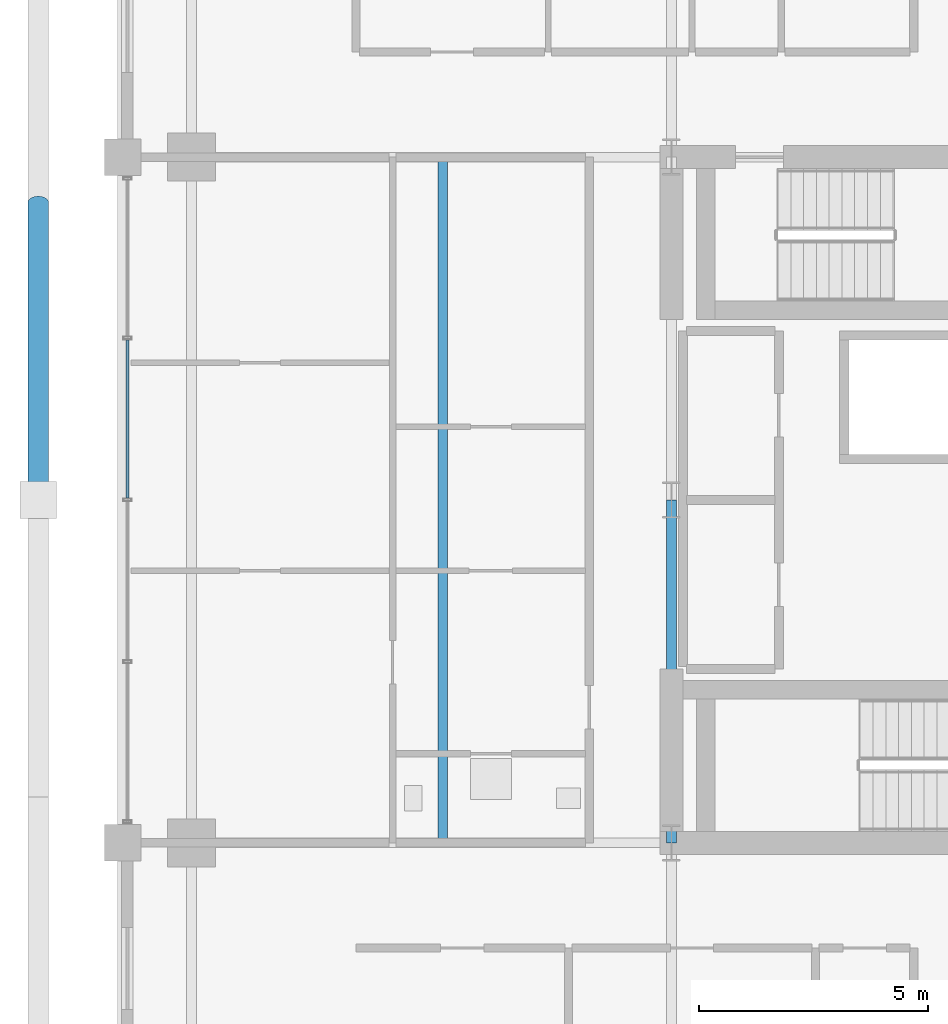
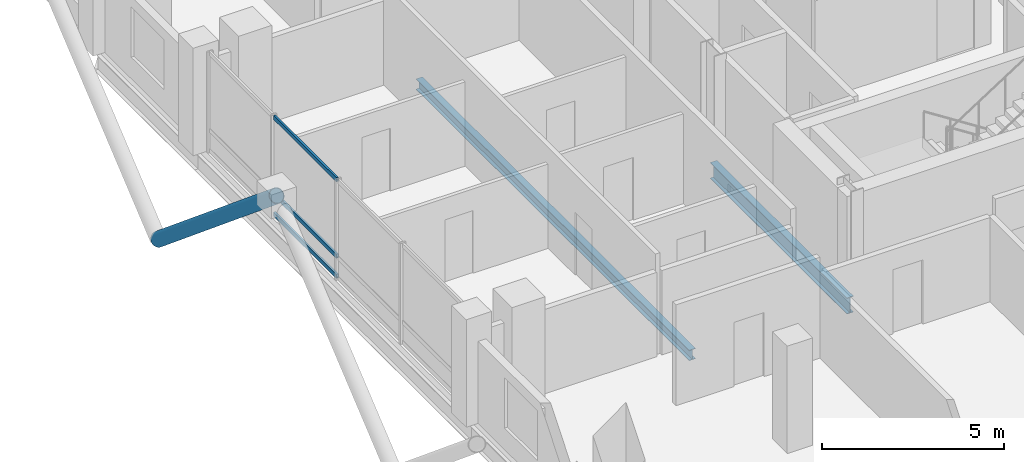
# One storey, part 7 of 24: 4 members, 2 beams, 1 element without a shape of its own.
"""IFC4 building model written with IfcOpenShell, lengths in metres."""

from ifc_helpers import new_model, si_unit, direction, frame, origin, origin_2d, place, context, subcontext, project, spatial, hollow_rectangle, hollow_circle, i_section, extrude, material, layer, layer_set, material_profile, profile_set, type_object, element, aggregate, save


model = new_model("IFC4")

# Units and contexts
model_context = context("Model", 3, precision=1e-05, world=origin(), true_north=direction((0.0, 1.0)))
body_context = subcontext(model_context, "Body", "Model", "MODEL_VIEW")
ifc_project = project(units=[si_unit("LENGTHUNIT", "METRE"), si_unit("AREAUNIT", "SQUARE_METRE"), si_unit("VOLUMEUNIT", "CUBIC_METRE"), si_unit("PLANEANGLEUNIT", "RADIAN"), si_unit("MASSUNIT", "GRAM", prefix="KILO")], contexts=[model_context])

# Site, building, storey
site_placement = place(None, origin())
site = spatial("IfcSite", under=ifc_project, at=site_placement, CompositionType="ELEMENT")
building_placement = place(site_placement, origin())
building = spatial("IfcBuilding", under=site, at=building_placement, Name="Barlavira Tower and Art Museum", CompositionType="ELEMENT")
storey_placement = place(building_placement, frame((0.0, 0.0, 183.60009765625)))
storey = spatial("IfcBuildingStorey", under=building, at=storey_placement, Name="L47", CompositionType="ELEMENT", Elevation=183.60009765625)

# Curtain wall, members
ifc_material_1 = material(Name="Low-iron coastal laminated glass", Category="glass")
ifc_layer = layer(ifc_material_1, 0.199951171875, Name="Low-iron coastal laminated glass")
ifc_layer_set = layer_set([ifc_layer], Name="Low-iron coastal laminated glass")
curtain_wall_type = type_object("IfcCurtainWallType", Name="Pale-Metal Unitised Curtain Wall Zone 3", PredefinedType="NOTDEFINED", material=ifc_layer_set)
curtain_wall_placement = place(storey_placement, origin())
curtain_wall = element("IfcCurtainWall", 1, at=curtain_wall_placement, inside=storey, type_object=curtain_wall_type, Name="L47 Curtain Wall CW3-L47-W-B3", PredefinedType="NOTDEFINED")
ifc_material_2 = material(Name="Pale anodised aluminium", Category="aluminium")
ifc_material_profile_1 = material_profile(ifc_material_2, hollow_rectangle(XDim=0.06494140625, YDim=0.139892578125, WallThickness=0.00390625, at=origin_2d()), Name="ALU-TRAN 65x140x4")
ifc_profile_set_1 = profile_set([ifc_material_profile_1], Name="Pale anodised aluminium")
member_type_1 = type_object("IfcMemberType", Name="Curtain Wall Pale-Metal Transom 65x140", PredefinedType="USERDEFINED", material=ifc_profile_set_1)
member_1_placement = place(storey_placement, frame((-18.39990234375, 3.4951171875, 0.06982421875), z_axis=(0.0, -1.0, 0.0), x_axis=(1.0, 0.0, 0.0)))
member_1 = element("IfcMember", 2, at=member_1_placement, type_object=member_type_1, Name="CW3-L47-W-B3 Transom 1.1", ObjectType="TRANSOM", PredefinedType="USERDEFINED", context=body_context, shape_type="SweptSolid", body=[
    extrude(hollow_rectangle(XDim=0.06494140625, YDim=0.139892578125, WallThickness=0.00390625, at=origin_2d()), origin(), (0.0, 0.0, 1.0), 3.4501953125),
])
member_2_placement = place(storey_placement, frame((-18.39990234375, 3.4951171875, 0.743896484375), z_axis=(0.0, -1.0, 0.0), x_axis=(1.0, 0.0, 0.0)))
member_2 = element("IfcMember", 3, at=member_2_placement, type_object=member_type_1, Name="CW3-L47-W-B3 Transom 1.2", ObjectType="TRANSOM", PredefinedType="USERDEFINED", context=body_context, shape_type="SweptSolid", body=[
    extrude(hollow_rectangle(XDim=0.06494140625, YDim=0.139892578125, WallThickness=0.00390625, at=origin_2d()), origin(), (0.0, 0.0, 1.0), 3.4501953125),
])
member_3_placement = place(storey_placement, frame((-18.39990234375, 3.4951171875, 3.309814453125), z_axis=(0.0, -1.0, 0.0), x_axis=(1.0, 0.0, 0.0)))
member_3 = element("IfcMember", 4, at=member_3_placement, type_object=member_type_1, Name="CW3-L47-W-B3 Transom 1.3", ObjectType="TRANSOM", PredefinedType="USERDEFINED", context=body_context, shape_type="SweptSolid", body=[
    extrude(hollow_rectangle(XDim=0.06494140625, YDim=0.139892578125, WallThickness=0.00390625, at=origin_2d()), origin(), (0.0, 0.0, 1.0), 3.4501953125),
])
aggregate(curtain_wall, [member_1, member_2, member_3])

# Member
ifc_material_3 = material(Name="Steel S355", Category="steel")
ifc_material_profile_2 = material_profile(ifc_material_3, hollow_circle(Radius=0.228515625, WallThickness=0.02001953125, at=origin_2d()), Name="CHS 457.0x20.0")
ifc_profile_set_2 = profile_set([ifc_material_profile_2], Name="Steel S355")
member_type_2 = type_object("IfcMemberType", Name="Pale-Metal Exoskeleton Diagrid Tube CHS 457x20 Steel S355", PredefinedType="BRACE", material=ifc_profile_set_2)
member_4_placement = place(storey_placement, frame((-20.35009765625, 6.5, -1.920166015625), z_axis=(0.0, -0.76918185268, 0.639029950399), x_axis=(1.0, 0.0, 0.0)))
element("IfcMember", 5, at=member_4_placement, inside=storey, type_object=member_type_2, Name="L47 Exoskeleton Diagrid Tube W", PredefinedType="BRACE", context=body_context, shape_type="SweptSolid", body=[
    extrude(hollow_circle(Radius=0.228515625, WallThickness=0.02001953125, at=origin_2d()), origin(), (0.0, 0.0, 1.0), 8.450439453125),
])

# Beams
ifc_material_profile_3 = material_profile(ifc_material_3, i_section(OverallWidth=0.205078125, OverallDepth=0.35400390625, WebThickness=0.009521484375, FlangeThickness=0.016845703125, at=origin_2d()), Name="W360x79.0")
ifc_profile_set_3 = profile_set([ifc_material_profile_3], Name="Steel S355")
beam_type_1 = type_object("IfcBeamType", Name="Zone 3 Composite Floor Joist W360x79 Steel S355", PredefinedType="JOIST", material=ifc_profile_set_3)
beam_1_placement = place(storey_placement, frame((-11.5, -7.5, -0.397216796875), z_axis=(0.0, 1.0, 0.0), x_axis=(-1.0, 0.0, 0.0)))
element("IfcBeam", 6, at=beam_1_placement, inside=storey, type_object=beam_type_1, Name="L47 Joist W1", PredefinedType="JOIST", context=body_context, shape_type="SweptSolid", body=[
    extrude(i_section(OverallWidth=0.205078125, OverallDepth=0.35400390625, WebThickness=0.009521484375, FlangeThickness=0.016845703125, at=origin_2d()), origin(), (0.0, 0.0, 1.0), 15.0),
])
ifc_material_profile_4 = material_profile(ifc_material_3, i_section(OverallWidth=0.2109375, OverallDepth=0.5390625, WebThickness=0.01171875, FlangeThickness=0.018798828125, at=origin_2d()), Name="W530x109.0")
ifc_profile_set_4 = profile_set([ifc_material_profile_4], Name="Steel S355")
beam_type_2 = type_object("IfcBeamType", Name="Zone 3-4 Primary Floor Girder W530x109 Steel S355", PredefinedType="BEAM", material=ifc_profile_set_4)
beam_2_placement = place(storey_placement, frame((-6.5, -7.5, -0.489501953125), z_axis=(0.0, 1.0, 0.0), x_axis=(-1.0, 0.0, 0.0)))
element("IfcBeam", 7, at=beam_2_placement, inside=storey, type_object=beam_type_2, Name="L47 Girder C-W1", PredefinedType="BEAM", context=body_context, shape_type="SweptSolid", body=[
    extrude(i_section(OverallWidth=0.2109375, OverallDepth=0.5390625, WebThickness=0.01171875, FlangeThickness=0.018798828125, at=origin_2d()), origin(), (0.0, 0.0, 1.0), 7.5),
])

save(model, "model.ifc")
